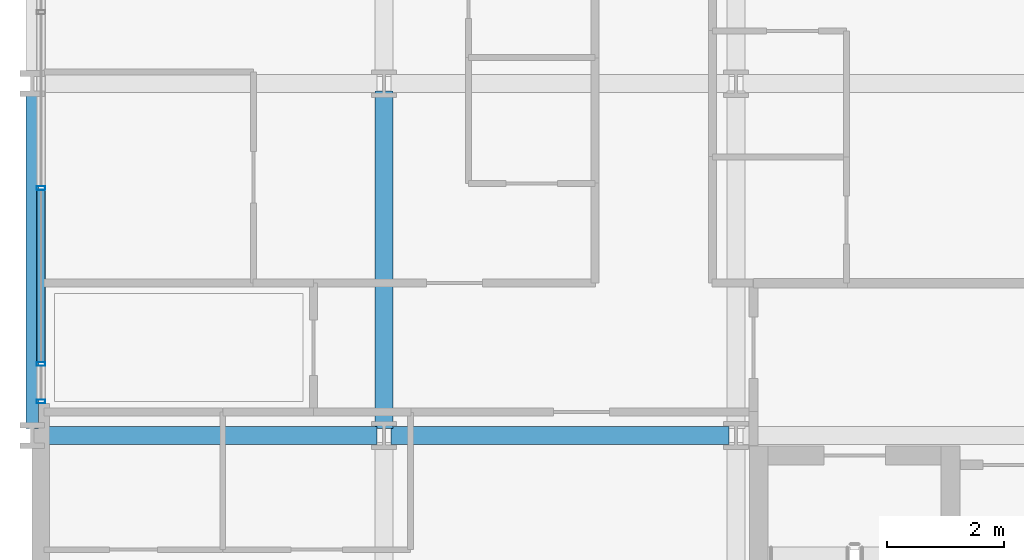
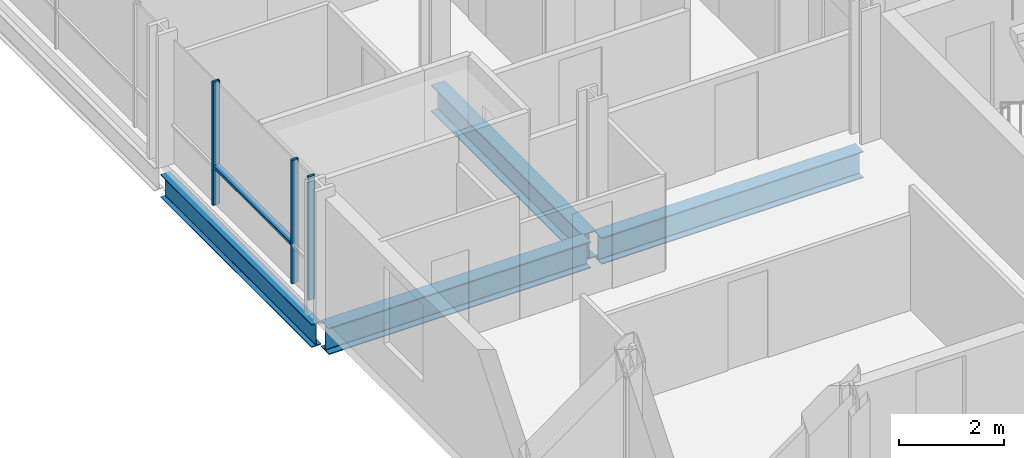
# One storey, part 2 of 40: 4 beams, 4 members, 1 element without a shape of its own.
"""IFC4 building model written with IfcOpenShell, lengths in metres."""

from ifc_helpers import new_model, si_unit, direction, frame, origin, origin_2d, place, context, subcontext, project, spatial, hollow_rectangle, i_section, extrude, material, layer, layer_set, material_profile, profile_set, type_object, element, aggregate, save


model = new_model("IFC4")

# Units and contexts
model_context = context("Model", 3, precision=1e-05, world=origin(), true_north=direction((0.0, 1.0)))
body_context = subcontext(model_context, "Body", "Model", "MODEL_VIEW")
ifc_project = project(units=[si_unit("LENGTHUNIT", "METRE"), si_unit("AREAUNIT", "SQUARE_METRE"), si_unit("VOLUMEUNIT", "CUBIC_METRE"), si_unit("PLANEANGLEUNIT", "RADIAN"), si_unit("MASSUNIT", "GRAM", prefix="KILO")], contexts=[model_context])

# Site, building, storey
site_placement = place(None, origin())
site = spatial("IfcSite", under=ifc_project, at=site_placement, CompositionType="ELEMENT")
building_placement = place(site_placement, origin())
building = spatial("IfcBuilding", under=site, at=building_placement, Name="Brevholm Reach", CompositionType="ELEMENT")
storey_placement = place(building_placement, frame((0.0, 0.0, 31.10009765625)))
storey = spatial("IfcBuildingStorey", under=building, at=storey_placement, Name="L07", CompositionType="ELEMENT", Elevation=31.10009765625)

# Beams
ifc_material_1 = material(Name="Structural Steel S355J2", Category="steel")
ifc_material_profile_1 = material_profile(ifc_material_1, i_section(OverallWidth=0.210693359375, OverallDepth=0.53955078125, WebThickness=0.01171875, FlangeThickness=0.018798828125, FilletRadius=0.0126953125, at=origin_2d()), Name="UKB 533x210x109")
ifc_profile_set_1 = profile_set([ifc_material_profile_1], Name="Structural Steel S355J2")
beam_type_1 = type_object("IfcBeamType", Name="BM-SP539", PredefinedType="SPANDREL", material=ifc_profile_set_1)
beam_placement = place(storey_placement, frame((0.0, 10.1201171875, -0.499755859375), z_axis=(0.0, 1.0, 0.0), x_axis=(-1.0, 0.0, 0.0)))
element("IfcBeam", 1, at=beam_placement, inside=storey, type_object=beam_type_1, Name="L07 SP-01B Framing Beam", PredefinedType="SPANDREL", context=body_context, shape_type="SweptSolid", body=[
    extrude(i_section(OverallWidth=0.210693359375, OverallDepth=0.53955078125, WebThickness=0.01171875, FlangeThickness=0.018798828125, FilletRadius=0.0126953125, at=origin_2d()), origin(), (0.0, 0.0, 1.0), 5.759765625),
])
ifc_material_2 = material(Name="Structural Steel S355J2", Category="steel")
ifc_material_profile_2 = material_profile(ifc_material_2, i_section(OverallWidth=0.30712890625, OverallDepth=0.6201171875, WebThickness=0.01416015625, FlangeThickness=0.023681640625, FilletRadius=0.0166015625, at=origin_2d()), Name="UKB 610x305x179")
ifc_profile_set_2 = profile_set([ifc_material_profile_2], Name="Structural Steel S355J2")
beam_type_2 = type_object("IfcBeamType", Name="BM-UKB610H", PredefinedType="USERDEFINED", material=ifc_profile_set_2)
for number, where, z_axis, x_axis, name in (
    (2, (0.1201171875, 10.0, -0.540283203125), (1.0, 0.0, 0.0), (0.0, 1.0, 0.0), "L07 G-06 Framing Beam"),
    (3, (6.1201171875, 10.0, -0.540283203125), (1.0, 0.0, 0.0), (0.0, 1.0, 0.0), "L07 G-06 Framing Beam"),
    (4, (6.0, 10.1201171875, -0.540283203125), (0.0, 1.0, 0.0), (-1.0, 0.0, 0.0), "L07 G-06 Framing Beam"),
):
    element("IfcBeam", number, at=place(storey_placement, frame(where, z_axis=z_axis, x_axis=x_axis)), inside=storey, type_object=beam_type_2, Name=name, ObjectType="GIRDER", PredefinedType="USERDEFINED", context=body_context, shape_type="SweptSolid", body=[
        extrude(i_section(OverallWidth=0.30712890625, OverallDepth=0.6201171875, WebThickness=0.01416015625, FlangeThickness=0.023681640625, FilletRadius=0.0166015625, at=origin_2d()), origin(), (0.0, 0.0, 1.0), 5.759765625),
    ])

# Curtain wall, members
ifc_material_3 = material(Name="Dark Anodised Aluminium 6063-T6 and Solar-Control Glass", Category="aluminium")
ifc_layer = layer(ifc_material_3, 0.14990234375)
ifc_layer_set = layer_set([ifc_layer], Name="Dark Anodised Aluminium 6063-T6 and Solar-Control Glass")
curtain_wall_type = type_object("IfcCurtainWallType", Name="CW-01", PredefinedType="NOTDEFINED", material=ifc_layer_set)
curtain_wall_placement = place(storey_placement, origin())
curtain_wall = element("IfcCurtainWall", 5, at=curtain_wall_placement, inside=storey, type_object=curtain_wall_type, Name="L07 Curtain Wall CW-01", PredefinedType="NOTDEFINED")
ifc_material_4 = material(Name="Dark Anodised Aluminium 6063-T6", Category="aluminium")
ifc_material_profile_3 = material_profile(ifc_material_4, hollow_rectangle(XDim=0.06494140625, YDim=0.14990234375, WallThickness=0.0048828125, InnerFilletRadius=0.0048828125, OuterFilletRadius=0.010009765625, at=origin_2d()), Name="RHS 150x65x5")
ifc_profile_set_3 = profile_set([ifc_material_profile_3], Name="Dark Anodised Aluminium 6063-T6")
member_type_1 = type_object("IfcMemberType", Name="CWM-150", PredefinedType="MULLION", material=ifc_profile_set_3)
member_1_placement = place(storey_placement, frame((0.14990234375, 14.219970703125, 0.0), z_axis=(0.0, 0.0, 1.0), x_axis=(0.0, -1.0, 0.0)))
member_1 = element("IfcMember", 6, at=member_1_placement, type_object=member_type_1, Name="CM-150 Mullion 4", PredefinedType="MULLION", context=body_context, shape_type="SweptSolid", body=[
    extrude(hollow_rectangle(XDim=0.06494140625, YDim=0.14990234375, WallThickness=0.0048828125, InnerFilletRadius=0.0048828125, OuterFilletRadius=0.010009765625, at=origin_2d()), origin(), (0.0, 0.0, 1.0), 2.869873046875),
])
member_2_placement = place(storey_placement, frame((0.14990234375, 11.219970703125, 0.0), z_axis=(0.0, 0.0, 1.0), x_axis=(0.0, -1.0, 0.0)))
member_2 = element("IfcMember", 7, at=member_2_placement, type_object=member_type_1, Name="CM-150 Mullion 5", PredefinedType="MULLION", context=body_context, shape_type="SweptSolid", body=[
    extrude(hollow_rectangle(XDim=0.06494140625, YDim=0.14990234375, WallThickness=0.0048828125, InnerFilletRadius=0.0048828125, OuterFilletRadius=0.010009765625, at=origin_2d()), origin(), (0.0, 0.0, 1.0), 2.869873046875),
])
member_3_placement = place(storey_placement, frame((0.14990234375, 10.58251953125, 0.0), z_axis=(0.0, 0.0, 1.0), x_axis=(0.0, -1.0, 0.0)))
member_3 = element("IfcMember", 8, at=member_3_placement, type_object=member_type_1, Name="CM-150 Mullion 6", PredefinedType="MULLION", context=body_context, shape_type="SweptSolid", body=[
    extrude(hollow_rectangle(XDim=0.06494140625, YDim=0.14990234375, WallThickness=0.0048828125, InnerFilletRadius=0.0048828125, OuterFilletRadius=0.010009765625, at=origin_2d()), origin(), (0.0, 0.0, 1.0), 2.869873046875),
])
ifc_material_5 = material(Name="Dark Anodised Aluminium 6063-T6", Category="aluminium")
ifc_material_profile_4 = material_profile(ifc_material_5, hollow_rectangle(XDim=0.06494140625, YDim=0.14990234375, WallThickness=0.0048828125, InnerFilletRadius=0.0048828125, OuterFilletRadius=0.010009765625, at=origin_2d()), Name="RHS 150x65x5")
ifc_profile_set_4 = profile_set([ifc_material_profile_4], Name="Dark Anodised Aluminium 6063-T6")
member_type_2 = type_object("IfcMemberType", Name="CWT-150", PredefinedType="NOTDEFINED", material=ifc_profile_set_4)
member_4_placement = place(storey_placement, frame((0.14990234375, 14.1875, 0.89990234375), z_axis=(0.0, -1.0, 0.0), x_axis=(0.0, 0.0, 1.0)))
member_4 = element("IfcMember", 9, at=member_4_placement, type_object=member_type_2, Name="CT-150 Transom 4.1", ObjectType="TRANSOM", PredefinedType="USERDEFINED", context=body_context, shape_type="SweptSolid", body=[
    extrude(hollow_rectangle(XDim=0.06494140625, YDim=0.14990234375, WallThickness=0.0048828125, InnerFilletRadius=0.0048828125, OuterFilletRadius=0.010009765625, at=origin_2d()), origin(), (0.0, 0.0, 1.0), 2.93505859375),
])
aggregate(curtain_wall, [member_1, member_2, member_3, member_4])

save(model, "model.ifc")
